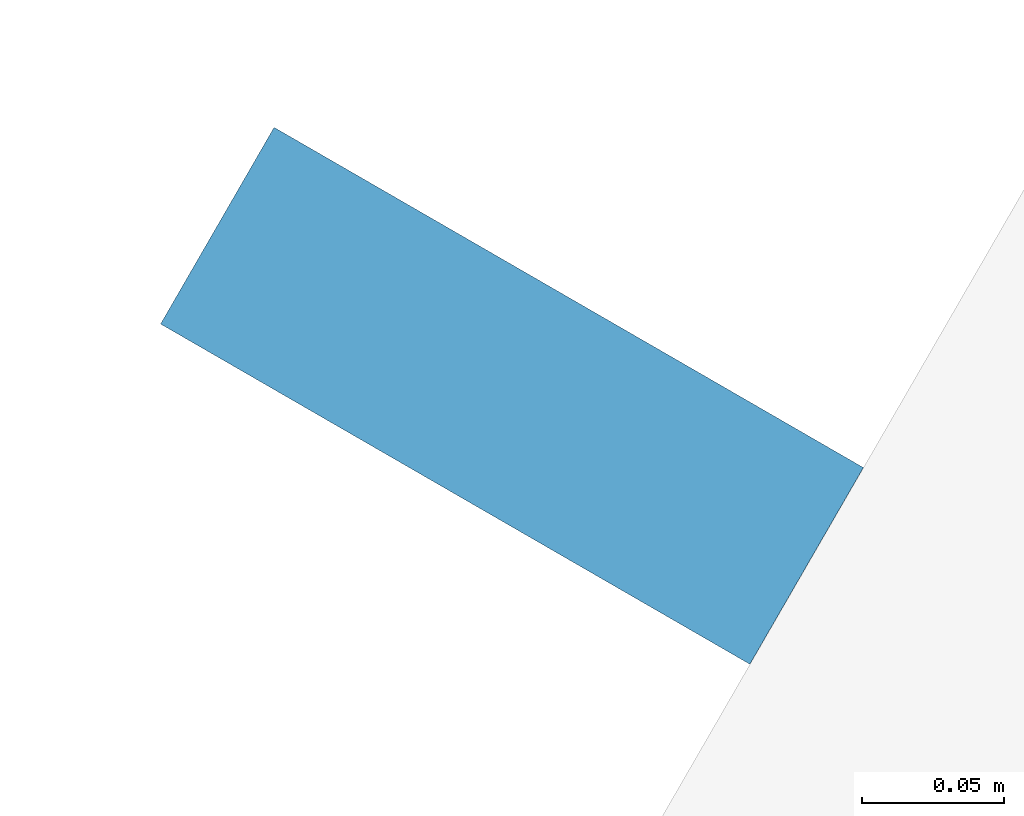
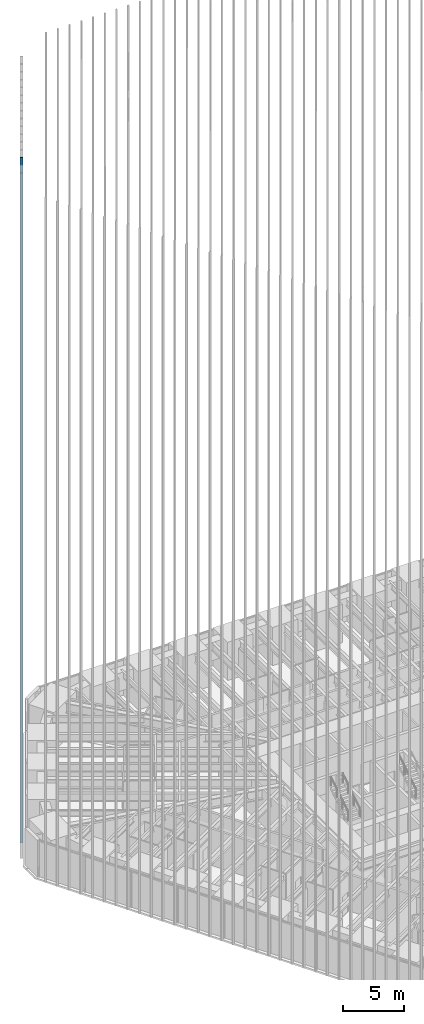
# One storey, part 139 of 256: 1 member, 1 element without a shape of its own.
"""IFC4 building model written with IfcOpenShell, lengths in metres."""

from ifc_helpers import new_model, si_unit, direction, frame, origin, origin_2d, place, context, subcontext, project, spatial, rectangle, extrude, material, material_profile, profile_set, type_object, element, aggregate, save


model = new_model("IFC4")

# Units and contexts
model_context = context("Model", 3, precision=1e-05, world=origin(), true_north=direction((0.0, 1.0)))
body_context = subcontext(model_context, "Body", "Model", "MODEL_VIEW")
ifc_project = project(units=[si_unit("LENGTHUNIT", "METRE"), si_unit("AREAUNIT", "SQUARE_METRE"), si_unit("VOLUMEUNIT", "CUBIC_METRE"), si_unit("PLANEANGLEUNIT", "RADIAN"), si_unit("MASSUNIT", "GRAM", prefix="KILO")], contexts=[model_context])

# Site, building, storey
site_placement = place(None, origin())
site = spatial("IfcSite", under=ifc_project, at=site_placement, CompositionType="ELEMENT")
building_placement = place(site_placement, origin())
building = spatial("IfcBuilding", under=site, at=building_placement, Name="Sandreach Pilgrim Tower", CompositionType="ELEMENT")
storey_placement = place(building_placement, frame((0.0, 0.0, 23.0)))
storey = spatial("IfcBuildingStorey", under=building, at=storey_placement, Name="L04", CompositionType="ELEMENT", Elevation=23.0)

# Curtain wall, member
ifc_material_1 = material(Name="Aluminium framed curtain wall", Category="aluminium")
curtain_wall_type = type_object("IfcCurtainWallType", Name="Hostel tower curtain wall", PredefinedType="NOTDEFINED", material=ifc_material_1)
curtain_wall_placement = place(storey_placement, origin())
curtain_wall = element("IfcCurtainWall", 1, at=curtain_wall_placement, inside=storey, type_object=curtain_wall_type, Name="CW-1 L04 NW", PredefinedType="NOTDEFINED")
ifc_material_2 = material(Name="Extruded terracotta on aluminium core", Category="masonry")
ifc_material_profile = material_profile(ifc_material_2, rectangle(XDim=0.080078125, YDim=0.239990234375, at=origin_2d()), Name="TBW 80X240")
ifc_profile_set = profile_set([ifc_material_profile], Name="Extruded terracotta on aluminium core")
member_type = type_object("IfcMemberType", Name="Terracotta baguette west", PredefinedType="USERDEFINED", material=ifc_profile_set)
member_placement = place(storey_placement, frame((-29.39990234375, 9.939697265625, 0.0), z_axis=(0.0, 0.0, 1.0), x_axis=(0.5, 0.866025403784, 0.0)))
member = element("IfcMember", 2, at=member_placement, type_object=member_type, Name="Baguette Z1 NW03", ObjectType="BAGUETTE", PredefinedType="USERDEFINED", context=body_context, shape_type="SweptSolid", body=[
    extrude(rectangle(XDim=0.080078125, YDim=0.239990234375, at=origin_2d()), origin(), (0.0, 0.0, 1.0), 68.239990234375),
])
aggregate(curtain_wall, [member])

save(model, "model.ifc")
